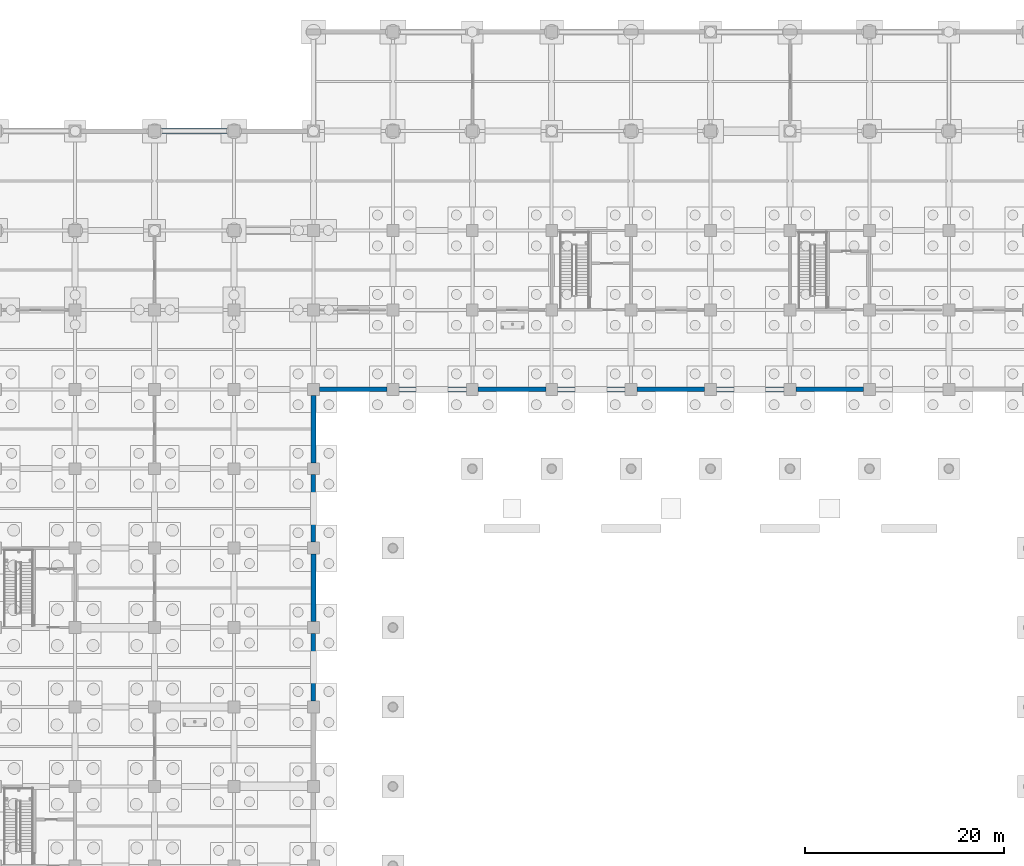
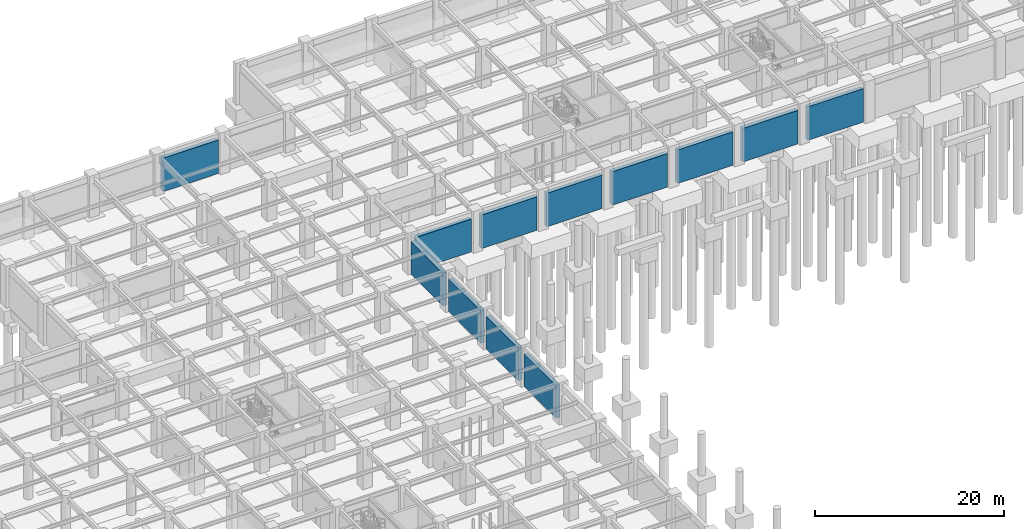
# One storey, part 80 of 97: 12 walls.
"""IFC4 building model written with IfcOpenShell, lengths in metres."""

import ifcopenshell
import ifcopenshell.guid

model = None  # the IFC model being written
_history = None  # IfcOwnerHistory: only IFC2X3 demands one
_inside = {}  # id of a spatial element -> (the spatial element, [elements in it])
_under = {}  # id of a project, library or spatial element -> (it, [spatial elements below it])
_declared = {}  # id of a project -> (the project, [libraries it declares])
_typed = {}  # id of a type object -> (the type object, [elements of that type])
_made_of = {}  # id of a material, layer set ... -> (it, [elements and type objects made of it])


def new_model(schema):
    """Start an empty IFC model of exactly this schema.

    Asked for "IFC4X3", IfcOpenShell would pick the latest addendum, in which some entities
    have other attributes; the version numbers below select the first issue.
    IFC2X3 requires an IfcOwnerHistory on every rooted entity: one is made here for all.
    """
    global model, _history
    if schema == "IFC4X3":
        model = ifcopenshell.file(schema_version=(4, 3, 0, 0))
    else:
        model = ifcopenshell.file(schema=schema)
    _inside.clear()
    _under.clear()
    _declared.clear()
    _typed.clear()
    _made_of.clear()
    _history = None
    if model.schema == "IFC2X3":
        org = make("IfcOrganization", Name="unknown")
        user = make(
            "IfcPersonAndOrganization",
            ThePerson=make("IfcPerson", FamilyName="unknown"),
            TheOrganization=org,
        )
        app = make(
            "IfcApplication",
            ApplicationDeveloper=org,
            Version="unknown",
            ApplicationFullName="unknown",
            ApplicationIdentifier="unknown",
        )
        _history = make(
            "IfcOwnerHistory",
            OwningUser=user,
            OwningApplication=app,
            ChangeAction="ADDED",
            CreationDate=0,
        )
    return model


def make(cls, **values):
    """One entity of the class cls with the attributes given. An attribute that is None is left unset."""
    return model.create_entity(
        cls, **{name: value for name, value in values.items() if value is not None}
    )


def rooted(cls, **values):
    """An entity with a GlobalId (a new one), such as an element, a storey or a relation."""
    return make(cls, GlobalId=ifcopenshell.guid.new(), OwnerHistory=_history, **values)


def si_unit(unit_type, name, prefix=None):
    """IfcSIUnit, for example si_unit("LENGTHUNIT", "METRE", prefix="MILLI")."""
    return make("IfcSIUnit", UnitType=unit_type, Prefix=prefix, Name=name)


def assignment(units):
    """IfcUnitAssignment: the units of a project."""
    return None if units is None else make("IfcUnitAssignment", Units=units)


def point(xyz):
    """IfcCartesianPoint."""
    return None if xyz is None else make("IfcCartesianPoint", Coordinates=xyz)


def direction(xyz):
    """IfcDirection."""
    return None if xyz is None else make("IfcDirection", DirectionRatios=xyz)


def frame(location, z_axis=None, x_axis=None):
    """IfcAxis2Placement3D, a coordinate frame: its origin and axes. An axis left out is left unset."""
    return make(
        "IfcAxis2Placement3D",
        Location=point(location),
        Axis=direction(z_axis),
        RefDirection=direction(x_axis),
    )


def frame_2d(location, x_axis=None):
    """IfcAxis2Placement2D, a coordinate frame in the plane: its origin and x axis."""
    return make(
        "IfcAxis2Placement2D", Location=point(location), RefDirection=direction(x_axis)
    )


def origin():
    """The frame at (0, 0, 0) with its axes left unset."""
    return frame((0.0, 0.0, 0.0))


def place(relative_to, where):
    """IfcLocalPlacement: puts the frame where relative to a parent placement (None: the world)."""
    return make(
        "IfcLocalPlacement", PlacementRelTo=relative_to, RelativePlacement=where
    )


def context(
    kind, dimensions, precision=None, world=None, true_north=None, identifier=None
):
    """IfcGeometricRepresentationContext, for example the 3D "Model" context."""
    return make(
        "IfcGeometricRepresentationContext",
        ContextIdentifier=identifier,
        ContextType=kind,
        CoordinateSpaceDimension=dimensions,
        Precision=precision,
        WorldCoordinateSystem=world,
        TrueNorth=true_north,
    )


def subcontext(parent, identifier, kind, view, scale=None):
    """IfcGeometricRepresentationSubContext, for example "Body" below "Model"."""
    return make(
        "IfcGeometricRepresentationSubContext",
        ContextIdentifier=identifier,
        ContextType=kind,
        ParentContext=parent,
        TargetScale=scale,
        TargetView=view,
    )


def project(units=None, contexts=None):
    """IfcProject with its units and contexts."""
    return rooted(
        "IfcProject",
        Name="project",
        RepresentationContexts=contexts,
        UnitsInContext=assignment(units),
    )


def spatial(cls, under=None, at=None, **own):
    """A site, building, storey or space (cls), placed at a placement, below another one or the project."""
    s = rooted(cls, ObjectPlacement=at, **own)
    if under is not None:
        _under.setdefault(under.id(), (under, []))[1].append(s)
    return s


def profile(cls, at=None, kind="AREA", **sizes):
    """A parametric profile (cls). Its sizes go by their IFC names, for example OverallWidth=200.0."""
    return make(cls, ProfileType=kind, Position=at, **sizes)


def rectangle(**sizes):
    """IfcRectangleProfileDef."""
    return profile("IfcRectangleProfileDef", **sizes)


def extrude(swept, where, along, depth):
    """IfcExtrudedAreaSolid: the profile swept, set in the frame where, extruded along a direction by depth."""
    return make(
        "IfcExtrudedAreaSolid",
        SweptArea=swept,
        Position=where,
        ExtrudedDirection=direction(along),
        Depth=depth,
    )


def shape(context_of_items, identifier, shape_type, items):
    """IfcShapeRepresentation: the items that make up one representation, for example the "Body"."""
    return make(
        "IfcShapeRepresentation",
        ContextOfItems=context_of_items,
        RepresentationIdentifier=identifier,
        RepresentationType=shape_type,
        Items=items,
    )


def material(Name=None, Category=None):
    """IfcMaterial."""
    return make("IfcMaterial", Name=Name, Category=Category)


def layer(
    of_material, thickness, ventilated=None, Name=None, Category=None, Priority=None
):
    """IfcMaterialLayer: one layer of a wall or slab, of a material (None: an air gap)."""
    return make(
        "IfcMaterialLayer",
        Material=of_material,
        LayerThickness=thickness,
        IsVentilated=ventilated,
        Name=Name,
        Category=Category,
        Priority=Priority,
    )


def layer_set(layers, Name=None):
    """IfcMaterialLayerSet."""
    return make("IfcMaterialLayerSet", MaterialLayers=layers, LayerSetName=Name)


def made_of(thing, what):
    """Note that an element or type object is made of a material, layer set ...; save() writes the relation."""
    if what is not None:
        _made_of.setdefault(what.id(), (what, []))[1].append(thing)
    return thing


def type_object(cls, material=None, **own):
    """A type object (cls), such as IfcWallType, which elements share."""
    return made_of(rooted(cls, **own), material)


def element(
    cls,
    number,
    at=None,
    inside=None,
    cuts=None,
    type_object=None,
    material=None,
    context=None,
    identifier="Body",
    shape_type=None,
    held_by="IfcProductDefinitionShape",
    body=None,
    shapes=None,
    **own,
):
    """One element of the class cls, such as IfcWall. Its Tag is "e" and its number.

    at: its placement. inside: the storey or other place that contains it. cuts: it is an
    opening in that element (IfcRelVoidsElement). A single representation is given by context,
    identifier, shape_type and body (its items); several are given by shapes. held_by: the class
    of the entity that holds the representations. save() writes the other relations.
    """
    e = rooted(cls, Tag="e%d" % number, ObjectPlacement=at, **own)
    if body is not None:
        shapes = [shape(context, identifier, shape_type, body)]
    if shapes is not None:
        e.Representation = make(held_by, Representations=shapes)
    if inside is not None:
        _inside.setdefault(inside.id(), (inside, []))[1].append(e)
    if cuts is not None:
        rooted(
            "IfcRelVoidsElement", RelatingBuildingElement=cuts, RelatedOpeningElement=e
        )
    if type_object is not None:
        _typed.setdefault(type_object.id(), (type_object, []))[1].append(e)
    return made_of(e, material)


def aggregate(whole, parts):
    """IfcRelAggregates: a whole, such as a stair, and the parts it consists of."""
    return rooted("IfcRelAggregates", RelatingObject=whole, RelatedObjects=parts)


def save(model, path):
    """Write the relations noted so far, then the file.

    IfcRelAggregates (storeys below a building ...), IfcRelContainedInSpatialStructure (elements
    in a storey), IfcRelDefinesByType, IfcRelAssociatesMaterial and IfcRelDeclares: one each for
    every whole, place, type object, material and project.
    """
    for whole, parts in _under.values():
        aggregate(whole, parts)
    for where, things in _inside.values():
        rooted(
            "IfcRelContainedInSpatialStructure",
            RelatedElements=things,
            RelatingStructure=where,
        )
    for kind, things in _typed.values():
        rooted("IfcRelDefinesByType", RelatedObjects=things, RelatingType=kind)
    for what, things in _made_of.values():
        rooted("IfcRelAssociatesMaterial", RelatedObjects=things, RelatingMaterial=what)
    for by, libraries in _declared.values():
        rooted("IfcRelDeclares", RelatingContext=by, RelatedDefinitions=libraries)
    model.write(path)


model = new_model("IFC4")

# Units and contexts
model_context = context("Model", 3, precision=1e-05, world=origin(), true_north=direction((0.0, 1.0)))
body_context = subcontext(model_context, "Body", "Model", "MODEL_VIEW")
ifc_project = project(units=[si_unit("LENGTHUNIT", "METRE"), si_unit("AREAUNIT", "SQUARE_METRE"), si_unit("VOLUMEUNIT", "CUBIC_METRE"), si_unit("PLANEANGLEUNIT", "RADIAN"), si_unit("MASSUNIT", "GRAM", prefix="KILO")], contexts=[model_context])

# Site, building, storey
site_placement = place(None, origin())
site = spatial("IfcSite", under=ifc_project, at=site_placement, CompositionType="ELEMENT")
building_placement = place(site_placement, origin())
building = spatial("IfcBuilding", under=site, at=building_placement, Name="Haebicheon Civic Stadium", CompositionType="ELEMENT")
storey_placement = place(building_placement, frame((0.0, 0.0, -5.39990234375)))
storey = spatial("IfcBuildingStorey", under=building, at=storey_placement, Name="B1", CompositionType="ELEMENT", Elevation=-5.39990234375)

# Walls
ifc_material_1 = material(Name="Concrete C40/50", Category="concrete")
ifc_layer_1 = layer(ifc_material_1, 0.4599609375, Name="Concrete C40/50")
ifc_layer_set_1 = layer_set([ifc_layer_1], Name="Concrete C40/50")
wall_type_1 = type_object("IfcWallType", Name="EW-RET-460", PredefinedType="STANDARD", material=ifc_layer_set_1)
for number, where, z_axis, x_axis, name in (
    (1, (64.0, 120.60009765625, 0.0), (0.0, 0.0, 1.0), (0.0, 1.0, 0.0), "B1 retaining wall 08-15-E"),
    (2, (64.0, 136.60009765625, 0.0), (0.0, 0.0, 1.0), (0.0, 1.0, 0.0), "B1 retaining wall 08-17-E"),
    (3, (64.60009765625, 152.0, 0.0), (0.0, 0.0, 1.0), (1.0, 0.0, 0.0), "B1 retaining wall 08-19-S"),
):
    element("IfcWall", number, at=place(storey_placement, frame(where, z_axis=z_axis, x_axis=x_axis)), inside=storey, type_object=wall_type_1, material=ifc_layer_set_1, Name=name, PredefinedType="STANDARD", context=body_context, shape_type="SweptSolid", body=[
        extrude(rectangle(XDim=6.7998046875, YDim=0.4599609375, at=frame_2d((3.39990234375, 0.0))), origin(), (0.0, 0.0, 1.0), 4.239990234375),
    ])
for number, where, z_axis, x_axis, name in (
    (4, (80.60009765625, 152.0, 0.0), (0.0, 0.0, 1.0), (1.0, 0.0, 0.0), "B1 retaining wall 10-19-S"),
    (5, (96.60009765625, 152.0, 0.0), (0.0, 0.0, 1.0), (1.0, 0.0, 0.0), "B1 retaining wall 12-19-S"),
    (6, (112.60009765625, 152.0, 0.0), (0.0, 0.0, 1.0), (1.0, 0.0, 0.0), "B1 retaining wall 14-19-S"),
):
    element("IfcWall", number, at=place(storey_placement, frame(where, z_axis=z_axis, x_axis=x_axis)), inside=storey, type_object=wall_type_1, material=ifc_layer_set_1, Name=name, PredefinedType="STANDARD", context=body_context, shape_type="SweptSolid", body=[
        extrude(rectangle(XDim=6.7998046875, YDim=0.4599609375, at=frame_2d((3.39990234375, 0.0))), origin(), (0.0, 0.0, 1.0), 4.33984375),
    ])
ifc_material_2 = material(Name="Concrete C40/50", Category="concrete")
ifc_layer_2 = layer(ifc_material_2, 0.5, Name="Concrete C40/50")
ifc_layer_set_2 = layer_set([ifc_layer_2], Name="Concrete C40/50")
wall_type_2 = type_object("IfcWallType", Name="EW-RET-500", PredefinedType="STANDARD", material=ifc_layer_set_2)
wall_placement = place(storey_placement, frame((48.60009765625, 178.0, 0.0), z_axis=(0.0, 0.0, 1.0), x_axis=(1.0, 0.0, 0.0)))
element("IfcWall", 7, at=wall_placement, inside=storey, type_object=wall_type_2, material=ifc_layer_set_2, Name="B1 retaining wall 06-22-N", PredefinedType="STANDARD", context=body_context, shape_type="SweptSolid", body=[
    extrude(rectangle(XDim=6.7998046875, YDim=0.5, at=frame_2d((3.39990234375, 0.0))), origin(), (0.0, 0.0, 1.0), 4.33984375),
])
for number, where, z_axis, x_axis, name in (
    (8, (64.0, 128.60009765625, 0.0), (0.0, 0.0, 1.0), (0.0, 1.0, 0.0), "B1 retaining wall 08-16-E"),
    (9, (64.0, 144.60009765625, 0.0), (0.0, 0.0, 1.0), (0.0, 1.0, 0.0), "B1 retaining wall 08-18-E"),
):
    element("IfcWall", number, at=place(storey_placement, frame(where, z_axis=z_axis, x_axis=x_axis)), inside=storey, type_object=wall_type_2, material=ifc_layer_set_2, Name=name, PredefinedType="STANDARD", context=body_context, shape_type="SweptSolid", body=[
        extrude(rectangle(XDim=6.7998046875, YDim=0.5, at=frame_2d((3.39990234375, 0.0))), origin(), (0.0, 0.0, 1.0), 4.239990234375),
    ])
for number, where, z_axis, x_axis, name in (
    (10, (72.60009765625, 152.0, 0.0), (0.0, 0.0, 1.0), (1.0, 0.0, 0.0), "B1 retaining wall 09-19-S"),
    (11, (88.60009765625, 152.0, 0.0), (0.0, 0.0, 1.0), (1.0, 0.0, 0.0), "B1 retaining wall 11-19-S"),
    (12, (104.60009765625, 152.0, 0.0), (0.0, 0.0, 1.0), (1.0, 0.0, 0.0), "B1 retaining wall 13-19-S"),
):
    element("IfcWall", number, at=place(storey_placement, frame(where, z_axis=z_axis, x_axis=x_axis)), inside=storey, type_object=wall_type_2, material=ifc_layer_set_2, Name=name, PredefinedType="STANDARD", context=body_context, shape_type="SweptSolid", body=[
        extrude(rectangle(XDim=6.7998046875, YDim=0.5, at=frame_2d((3.39990234375, 0.0))), origin(), (0.0, 0.0, 1.0), 4.33984375),
    ])

save(model, "model.ifc")
